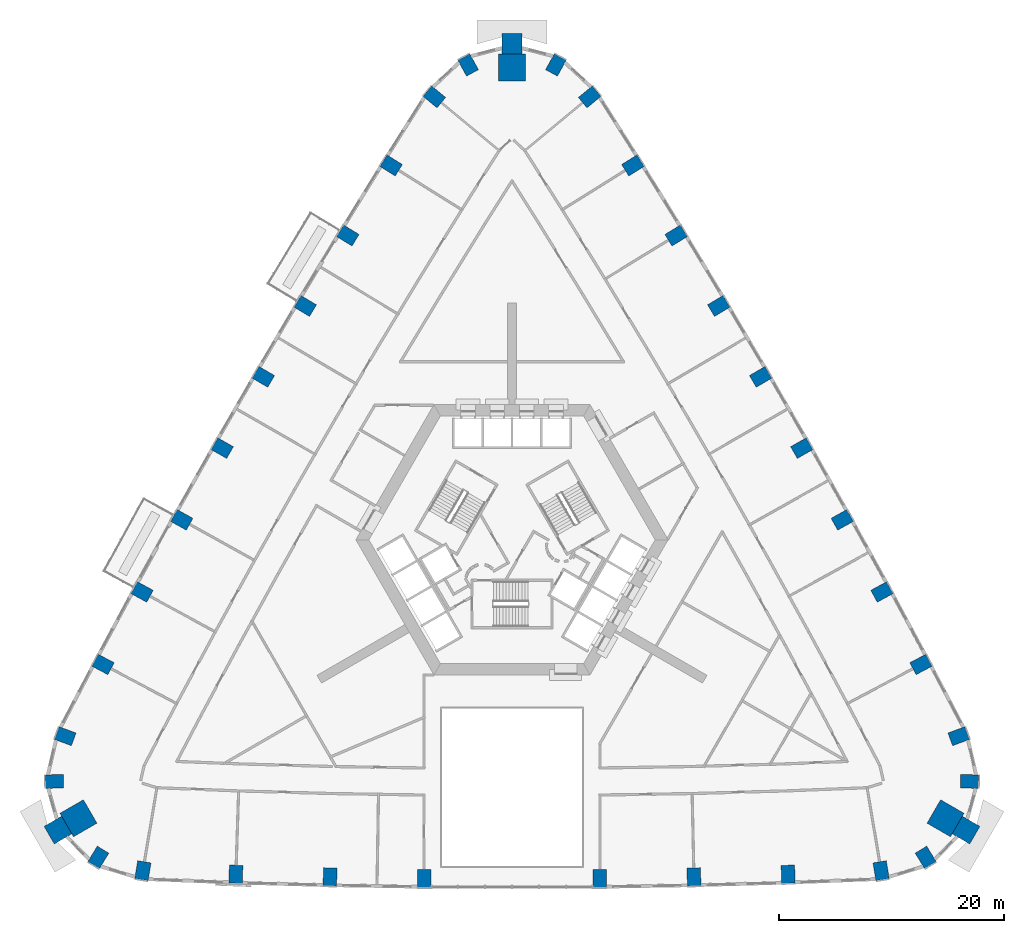
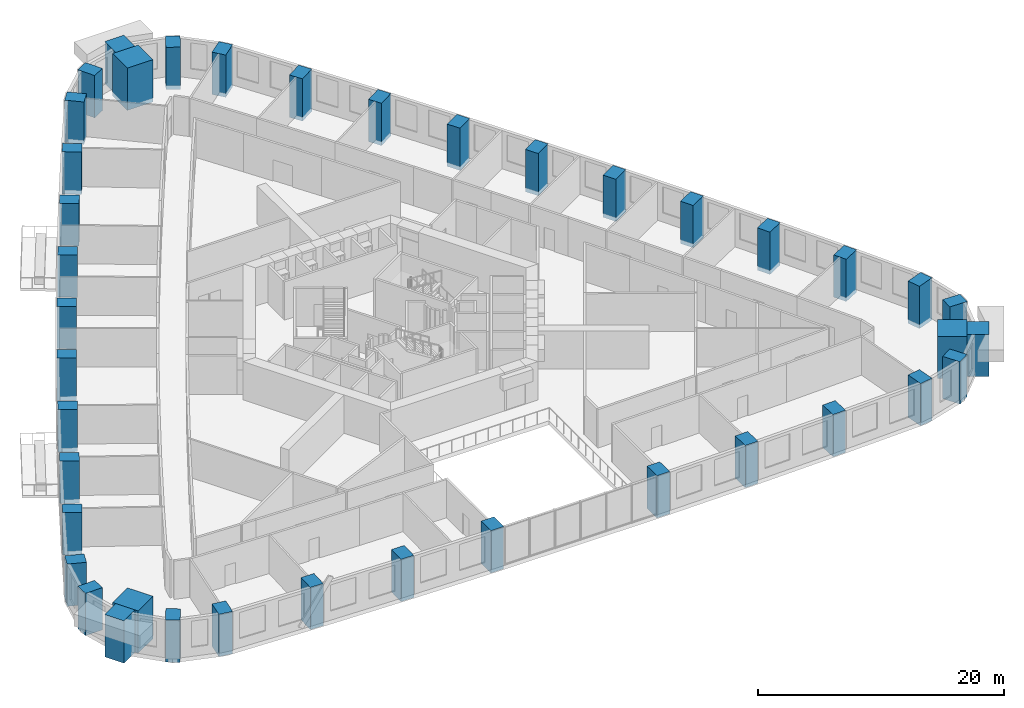
# One storey, part 1 of 16: 40 columns.
"""IFC4 building model written with IfcOpenShell, lengths in metres."""

from ifc_helpers import new_model, si_unit, direction, frame, origin, origin_2d, place, context, subcontext, project, spatial, rectangle, extrude, material, material_profile, profile_set, type_object, element, save


model = new_model("IFC4")

# Units and contexts
model_context = context("Model", 3, precision=1e-05, world=origin(), true_north=direction((0.0, 1.0)))
body_context = subcontext(model_context, "Body", "Model", "MODEL_VIEW")
ifc_project = project(units=[si_unit("LENGTHUNIT", "METRE"), si_unit("AREAUNIT", "SQUARE_METRE"), si_unit("VOLUMEUNIT", "CUBIC_METRE"), si_unit("PLANEANGLEUNIT", "RADIAN"), si_unit("MASSUNIT", "GRAM", prefix="KILO")], contexts=[model_context])

# Site, building, storey
site_placement = place(None, origin())
site = spatial("IfcSite", under=ifc_project, at=site_placement, CompositionType="ELEMENT")
building_placement = place(site_placement, origin())
building = spatial("IfcBuilding", under=site, at=building_placement, Name="Entoto Arch Interchange Tower", CompositionType="ELEMENT")
storey_placement = place(building_placement, frame((0.0, 0.0, 43.39990234375)))
storey = spatial("IfcBuildingStorey", under=building, at=storey_placement, Name="L08", CompositionType="ELEMENT", Elevation=43.39990234375)

# Columns
ifc_material_1 = material(Name="Concrete C60/75", Category="concrete")
ifc_material_profile_1 = material_profile(ifc_material_1, rectangle(XDim=1.199951171875, YDim=1.60009765625, at=origin_2d()))
ifc_profile_set_1 = profile_set([ifc_material_profile_1], Name="Concrete C60/75")
column_type_1 = type_object("IfcColumnType", Name="Column RC 1200x1600 C60/75", PredefinedType="COLUMN", material=ifc_profile_set_1)
for number, where, z_axis, x_axis, name in (
    (1, (-32.760986328125, -26.87109375, -0.39990234375), (0.0, 0.0, 1.0), (-0.98600476771, 0.166717119856, 0.0), "Column S01 L08"),
    (2, (-24.510009765625, -27.18798828125, -0.39990234375), (0.0, 0.0, 1.0), (-0.999434480961, 0.033626154508, 0.0), "Column S02 L08"),
    (3, (-16.14990234375, -27.4208984375, -0.39990234375), (0.0, 0.0, 1.0), (-0.99975435134, 0.022163866481, 0.0), "Column S03 L08"),
    (4, (-7.79296875, -27.55810546875, -0.39990234375), (0.0, 0.0, 1.0), (-0.999966355195, 0.008202955488, 0.0), "Column S04 L08"),
    (5, (7.79296875, -27.55810546875, -0.39990234375), (0.0, 0.0, 1.0), (0.999966355195, 0.008202955488, 0.0), "Column S05 L08"),
    (6, (16.14990234375, -27.4208984375, -0.39990234375), (0.0, 0.0, 1.0), (0.99975435134, 0.022163866481, 0.0), "Column S06 L08"),
    (7, (24.510009765625, -27.18798828125, -0.39990234375), (0.0, 0.0, 1.0), (0.999434480961, 0.033626154508, 0.0), "Column S07 L08"),
    (8, (32.760986328125, -26.87109375, -0.39990234375), (0.0, 0.0, 1.0), (0.98600476771, 0.166717119856, 0.0), "Column S08 L08"),
    (9, (36.7119140625, -25.68798828125, -0.39990234375), (0.0, 0.0, 1.0), (0.854522294989, 0.519414716163, 0.0), "Column SE1 L08"),
    (10, (40.60302734375, -18.949951171875, -0.39990234375), (0.0, 0.0, 1.0), (0.022565191802, 0.999745373642, 0.0), "Column SE3 L08"),
    (11, (39.64990234375, -14.93603515625, -0.39990234375), (0.0, 0.0, 1.0), (-0.348277574304, 0.937391450375, 0.0), "Column NE01 L08"),
    (12, (36.298095703125, -8.56689453125, -0.39990234375), (0.0, 0.0, 1.0), (-0.46931745221, 0.883029517656, 0.0), "Column NE02 L08"),
    (13, (32.8369140625, -2.132080078125, -0.39990234375), (0.0, 0.0, 1.0), (-0.478140110514, 0.878283573066, 0.0), "Column NE03 L08"),
    (14, (29.31103515625, 4.26708984375, -0.39990234375), (0.0, 0.0, 1.0), (-0.486914781103, 0.873449481048, 0.0), "Column NE04 L08"),
    (15, (25.720947265625, 10.632080078125, -0.39990234375), (0.0, 0.0, 1.0), (-0.495655741916, 0.868519076074, 0.0), "Column NE05 L08"),
    (16, (22.068115234375, 16.958984375, -0.39990234375), (0.0, 0.0, 1.0), (-0.504331712594, 0.863510002068, 0.0), "Column NE06 L08"),
    (17, (18.35009765625, 23.25, -0.39990234375), (0.0, 0.0, 1.0), (-0.512972048958, 0.858405310438, 0.0), "Column NE07 L08"),
    (18, (14.571044921875, 29.50390625, -0.39990234375), (0.0, 0.0, 1.0), (-0.521545830745, 0.853223268806, 0.0), "Column NE08 L08"),
    (19, (10.72900390625, 35.718994140625, -0.39990234375), (0.0, 0.0, 1.0), (-0.530067268476, 0.847955594881, 0.0), "Column NE09 L08"),
    (20, (6.889892578125, 41.805908203125, -0.39990234375), (0.0, 0.0, 1.0), (-0.637666022163, 0.770312952103, 0.0), "Column NE10 L08"),
    (21, (3.89111328125, 44.637939453125, -0.39990234375), (0.0, 0.0, 1.0), (-0.877079103306, 0.48034596547, 0.0), "Column N1 L08"),
    (22, (-3.89111328125, 44.637939453125, -0.39990234375), (0.0, 0.0, 1.0), (0.877079103306, 0.48034596547, 0.0), "Column N3 L08"),
    (23, (-6.889892578125, 41.805908203125, -0.39990234375), (0.0, 0.0, 1.0), (0.637666022163, 0.770312952103, 0.0), "Column NW01 L08"),
    (24, (-10.72900390625, 35.718994140625, -0.39990234375), (0.0, 0.0, 1.0), (0.530067268476, 0.847955594881, 0.0), "Column NW02 L08"),
    (25, (-14.571044921875, 29.50390625, -0.39990234375), (0.0, 0.0, 1.0), (0.521545830745, 0.853223268806, 0.0), "Column NW03 L08"),
    (26, (-18.35009765625, 23.25, -0.39990234375), (0.0, 0.0, 1.0), (0.512972048958, 0.858405310438, 0.0), "Column NW04 L08"),
    (27, (-22.068115234375, 16.958984375, -0.39990234375), (0.0, 0.0, 1.0), (0.504331712594, 0.863510002068, 0.0), "Column NW05 L08"),
    (28, (-25.720947265625, 10.632080078125, -0.39990234375), (0.0, 0.0, 1.0), (0.495655741916, 0.868519076074, 0.0), "Column NW06 L08"),
    (29, (-29.31103515625, 4.26708984375, -0.39990234375), (0.0, 0.0, 1.0), (0.486914781103, 0.873449481048, 0.0), "Column NW07 L08"),
    (30, (-32.8369140625, -2.132080078125, -0.39990234375), (0.0, 0.0, 1.0), (0.478140110514, 0.878283573066, 0.0), "Column NW08 L08"),
    (31, (-36.298095703125, -8.56689453125, -0.39990234375), (0.0, 0.0, 1.0), (0.46931745221, 0.883029517656, 0.0), "Column NW09 L08"),
    (32, (-39.64990234375, -14.93603515625, -0.39990234375), (0.0, 0.0, 1.0), (0.348277574304, 0.937391450375, 0.0), "Column NW10 L08"),
    (33, (-40.60302734375, -18.949951171875, -0.39990234375), (0.0, 0.0, 1.0), (-0.022565191802, 0.999745373642, 0.0), "Column SW1 L08"),
    (34, (-36.7119140625, -25.68798828125, -0.39990234375), (0.0, 0.0, 1.0), (-0.854522294989, 0.519414716163, 0.0), "Column SW3 L08"),
):
    element("IfcColumn", number, at=place(storey_placement, frame(where, z_axis=z_axis, x_axis=x_axis)), inside=storey, type_object=column_type_1, Name=name, PredefinedType="COLUMN", context=body_context, shape_type="SweptSolid", body=[
        extrude(rectangle(XDim=1.199951171875, YDim=1.60009765625, at=origin_2d()), origin(), (0.0, 0.0, 1.0), 4.199951171875),
    ])
ifc_material_2 = material(Name="Precast concrete C40/50", Category="concrete")
ifc_material_profile_2 = material_profile(ifc_material_2, rectangle(XDim=1.800048828125, YDim=1.800048828125, at=origin_2d()))
ifc_profile_set_2 = profile_set([ifc_material_profile_2], Name="Precast concrete C40/50")
column_type_2 = type_object("IfcColumnType", Name="Frame post RC 1800x1800 precast C40/50", PredefinedType="COLUMN", material=ifc_profile_set_2)
for number, where, z_axis, x_axis, name in (
    (35, (40.299072265625, -23.26708984375, -0.39990234375), (0.0, 0.0, 1.0), (-0.866025403784, 0.5, 0.0), "Frame post SE L08"),
    (36, (0.0, 46.532958984375, -0.39990234375), (0.0, 0.0, 1.0), (0.0, 1.0, 0.0), "Frame post N L08"),
    (37, (-40.299072265625, -23.26708984375, -0.39990234375), (0.0, 0.0, 1.0), (0.866025403784, 0.5, 0.0), "Frame post SW L08"),
):
    element("IfcColumn", number, at=place(storey_placement, frame(where, z_axis=z_axis, x_axis=x_axis)), inside=storey, type_object=column_type_2, Name=name, PredefinedType="COLUMN", context=body_context, shape_type="SweptSolid", body=[
        extrude(rectangle(XDim=1.800048828125, YDim=1.800048828125, at=origin_2d()), origin(), (0.0, 0.0, 1.0), 4.199951171875),
    ])
ifc_material_profile_3 = material_profile(ifc_material_1, rectangle(XDim=2.39990234375, YDim=2.39990234375, at=origin_2d()))
ifc_profile_set_3 = profile_set([ifc_material_profile_3], Name="Concrete C60/75")
column_type_3 = type_object("IfcColumnType", Name="Mega column RC 2400x2400 C60/75", PredefinedType="COLUMN", material=ifc_profile_set_3)
for number, where, z_axis, x_axis, name in (
    (38, (38.47998046875, -22.217041015625, -0.39990234375), (0.0, 0.0, 1.0), (-0.866025403784, 0.5, 0.0), "Corner mega column SE2 L08"),
    (39, (0.0, 44.43310546875, -0.39990234375), (0.0, 0.0, 1.0), (0.0, 1.0, 0.0), "Corner mega column N2 L08"),
    (40, (-38.47998046875, -22.217041015625, -0.39990234375), (0.0, 0.0, 1.0), (0.866025403784, 0.5, 0.0), "Corner mega column SW2 L08"),
):
    element("IfcColumn", number, at=place(storey_placement, frame(where, z_axis=z_axis, x_axis=x_axis)), inside=storey, type_object=column_type_3, Name=name, PredefinedType="COLUMN", context=body_context, shape_type="SweptSolid", body=[
        extrude(rectangle(XDim=2.39990234375, YDim=2.39990234375, at=origin_2d()), origin(), (0.0, 0.0, 1.0), 4.199951171875),
    ])

save(model, "model.ifc")
